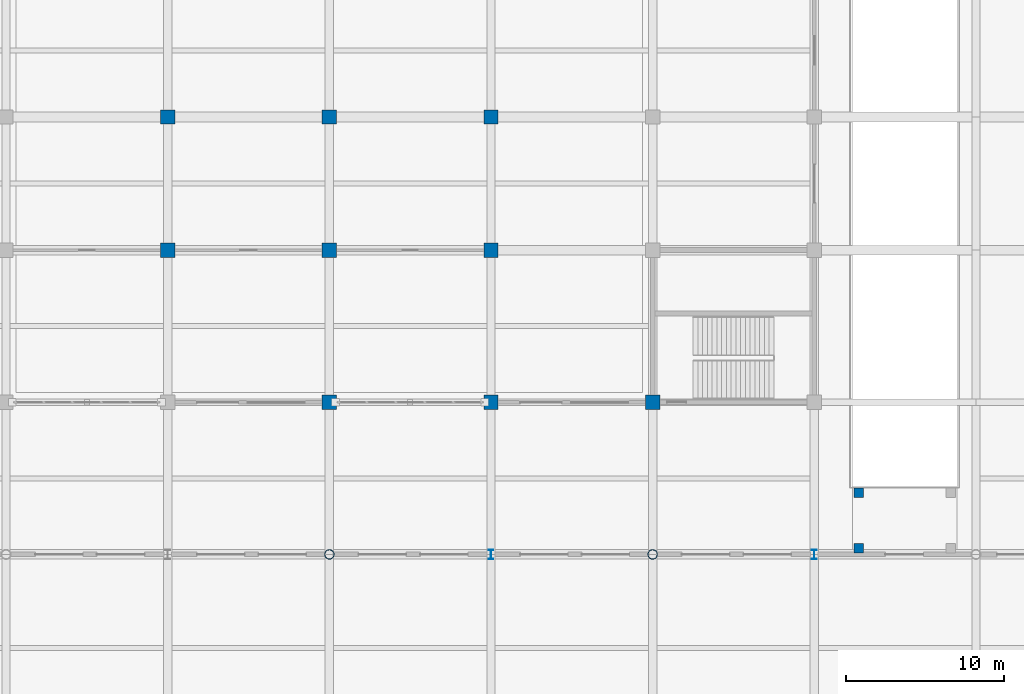
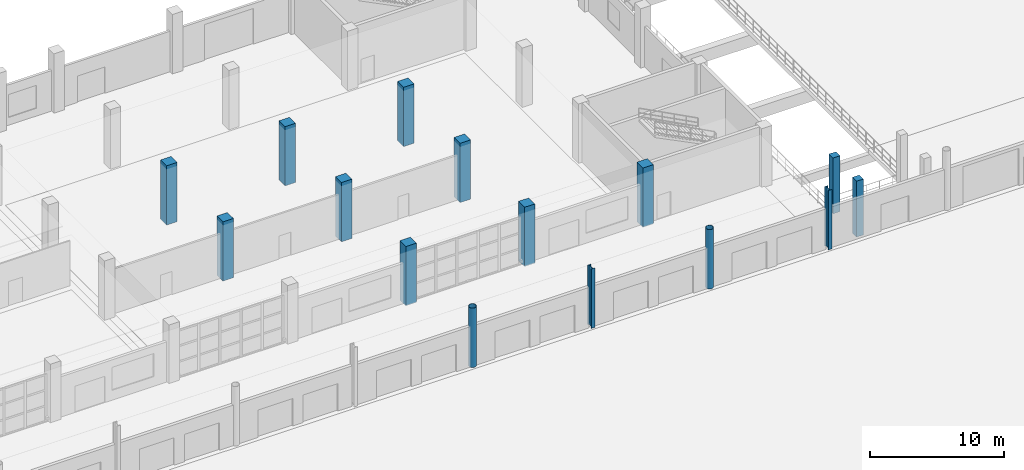
# One storey, part 8 of 124: 15 columns.
"""IFC4 building model written with IfcOpenShell, lengths in metres."""

from ifc_helpers import new_model, si_unit, direction, frame, origin, origin_2d, place, context, subcontext, project, spatial, rectangle, hollow_circle, i_section, extrude, material, material_profile, profile_set, type_object, element, save


model = new_model("IFC4")

# Units and contexts
model_context = context("Model", 3, precision=1e-05, world=origin(), true_north=direction((0.0, 1.0)))
body_context = subcontext(model_context, "Body", "Model", "MODEL_VIEW")
ifc_project = project(units=[si_unit("LENGTHUNIT", "METRE"), si_unit("AREAUNIT", "SQUARE_METRE"), si_unit("VOLUMEUNIT", "CUBIC_METRE"), si_unit("PLANEANGLEUNIT", "RADIAN"), si_unit("MASSUNIT", "GRAM", prefix="KILO")], contexts=[model_context])

# Site, building, storey
site_placement = place(None, origin())
site = spatial("IfcSite", under=ifc_project, at=site_placement, CompositionType="ELEMENT")
building_placement = place(site_placement, origin())
building = spatial("IfcBuilding", under=site, at=building_placement, Name="Brelvane Convention Centre", CompositionType="ELEMENT")
storey_placement = place(building_placement, origin())
storey = spatial("IfcBuildingStorey", under=building, at=storey_placement, Name="L00", CompositionType="ELEMENT", Elevation=0.0)

# Columns
ifc_material_1 = material(Name="Concrete M50", Category="concrete")
ifc_material_profile_1 = material_profile(ifc_material_1, rectangle(XDim=0.89990234375, YDim=0.89990234375, at=origin_2d()), Name="RC 900x900")
ifc_profile_set_1 = profile_set([ifc_material_profile_1], Name="Concrete M50")
column_type_1 = type_object("IfcColumnType", Name="RC Column C-RC2 (RC 900x900)", PredefinedType="COLUMN", material=ifc_profile_set_1)
for number, where, z_axis, x_axis, name in (
    (1, (71.39990234375, 118.800048828125, 0.0), (0.0, 0.0, 1.0), (1.0, 0.0, 0.0), "Column 8-M (L00)"),
    (2, (71.39990234375, 127.199951171875, 0.0), (0.0, 0.0, 1.0), (1.0, 0.0, 0.0), "Column 8-N (L00)"),
    (3, (81.60009765625, 109.199951171875, 0.0), (0.0, 0.0, 1.0), (1.0, 0.0, 0.0), "Column 9-L (L00)"),
    (4, (81.60009765625, 118.800048828125, 0.0), (0.0, 0.0, 1.0), (1.0, 0.0, 0.0), "Column 9-M (L00)"),
    (5, (81.60009765625, 127.199951171875, 0.0), (0.0, 0.0, 1.0), (1.0, 0.0, 0.0), "Column 9-N (L00)"),
    (6, (91.800048828125, 109.199951171875, 0.0), (0.0, 0.0, 1.0), (1.0, 0.0, 0.0), "Column 10-L (L00)"),
    (7, (91.800048828125, 118.800048828125, 0.0), (0.0, 0.0, 1.0), (1.0, 0.0, 0.0), "Column 10-M (L00)"),
    (8, (91.800048828125, 127.199951171875, 0.0), (0.0, 0.0, 1.0), (1.0, 0.0, 0.0), "Column 10-N (L00)"),
    (9, (102.0, 109.199951171875, 0.0), (0.0, 0.0, 1.0), (1.0, 0.0, 0.0), "Column 11-L (L00)"),
):
    element("IfcColumn", number, at=place(storey_placement, frame(where, z_axis=z_axis, x_axis=x_axis)), inside=storey, type_object=column_type_1, Name=name, PredefinedType="COLUMN", context=body_context, shape_type="SweptSolid", body=[
        extrude(rectangle(XDim=0.89990234375, YDim=0.89990234375, at=origin_2d()), origin(), (0.0, 0.0, 1.0), 5.39990234375),
    ])
ifc_material_2 = material(Name="Concrete M50", Category="concrete")
ifc_material_profile_2 = material_profile(ifc_material_2, rectangle(XDim=0.60009765625, YDim=0.60009765625, at=origin_2d()), Name="RC 600x600")
ifc_profile_set_2 = profile_set([ifc_material_profile_2], Name="Concrete M50")
column_type_2 = type_object("IfcColumnType", Name="RC Column C-RC4 (RC 600x600)", PredefinedType="COLUMN", material=ifc_profile_set_2)
for number, where, z_axis, x_axis, name in (
    (10, (115.0, 100.0, 0.0), (0.0, 0.0, 1.0), (1.0, 0.0, 0.0), "VR1 South L00 Column 1"),
    (11, (115.0, 103.5, 0.0), (0.0, 0.0, 1.0), (1.0, 0.0, 0.0), "VR1 South L00 Column 3"),
):
    element("IfcColumn", number, at=place(storey_placement, frame(where, z_axis=z_axis, x_axis=x_axis)), inside=storey, type_object=column_type_2, Name=name, PredefinedType="COLUMN", context=body_context, shape_type="SweptSolid", body=[
        extrude(rectangle(XDim=0.60009765625, YDim=0.60009765625, at=origin_2d()), origin(), (0.0, 0.0, 1.0), 5.080078125),
    ])
ifc_material_3 = material(Name="Steel E450 (450 MPa)", Category="steel")
ifc_material_profile_3 = material_profile(ifc_material_3, hollow_circle(Radius=0.304931640625, WallThickness=0.02490234375, at=origin_2d()), Name="CHS 610.0x25.0")
ifc_profile_set_3 = profile_set([ifc_material_profile_3], Name="Steel E450 (450 MPa)")
column_type_3 = type_object("IfcColumnType", Name="Steel Column C-ST1 (CHS 610.0x25.0)", PredefinedType="COLUMN", material=ifc_profile_set_3)
for number, where, z_axis, x_axis, name in (
    (12, (81.60009765625, 99.60009765625, 0.0), (0.0, 0.0, 1.0), (1.0, 0.0, 0.0), "Column 9-K (L00)"),
    (13, (102.0, 99.60009765625, 0.0), (0.0, 0.0, 1.0), (1.0, 0.0, 0.0), "Column 11-K (L00)"),
):
    element("IfcColumn", number, at=place(storey_placement, frame(where, z_axis=z_axis, x_axis=x_axis)), inside=storey, type_object=column_type_3, Name=name, PredefinedType="COLUMN", context=body_context, shape_type="SweptSolid", body=[
        extrude(hollow_circle(Radius=0.304931640625, WallThickness=0.02490234375, at=origin_2d()), origin(), (0.0, 0.0, 1.0), 5.39990234375),
    ])
ifc_material_4 = material(Name="Steel E450 (450 MPa)", Category="steel")
ifc_material_profile_4 = material_profile(ifc_material_4, i_section(OverallWidth=0.300048828125, OverallDepth=0.60009765625, WebThickness=0.015380859375, FlangeThickness=0.030029296875, FilletRadius=0.027099609375, at=origin_2d()), Name="WPB 600x300")
ifc_profile_set_4 = profile_set([ifc_material_profile_4], Name="Steel E450 (450 MPa)")
column_type_4 = type_object("IfcColumnType", Name="Steel Column C-ST5 (WPB 600x300)", PredefinedType="COLUMN", material=ifc_profile_set_4)
for number, where, z_axis, x_axis, name in (
    (14, (91.800048828125, 99.60009765625, 0.0), (0.0, 0.0, 1.0), (1.0, 0.0, 0.0), "Column 10-K (L00)"),
    (15, (112.199951171875, 99.60009765625, 0.0), (0.0, 0.0, 1.0), (1.0, 0.0, 0.0), "Column 12-K (L00)"),
):
    element("IfcColumn", number, at=place(storey_placement, frame(where, z_axis=z_axis, x_axis=x_axis)), inside=storey, type_object=column_type_4, Name=name, PredefinedType="COLUMN", context=body_context, shape_type="SweptSolid", body=[
        extrude(i_section(OverallWidth=0.300048828125, OverallDepth=0.60009765625, WebThickness=0.015380859375, FlangeThickness=0.030029296875, FilletRadius=0.027099609375, at=origin_2d()), origin(), (0.0, 0.0, 1.0), 5.39990234375),
    ])

save(model, "model.ifc")
